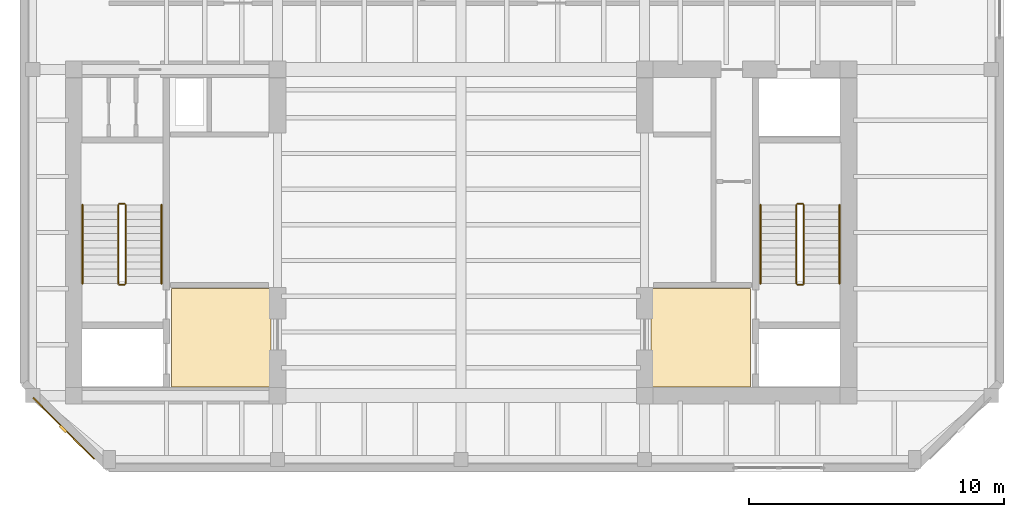
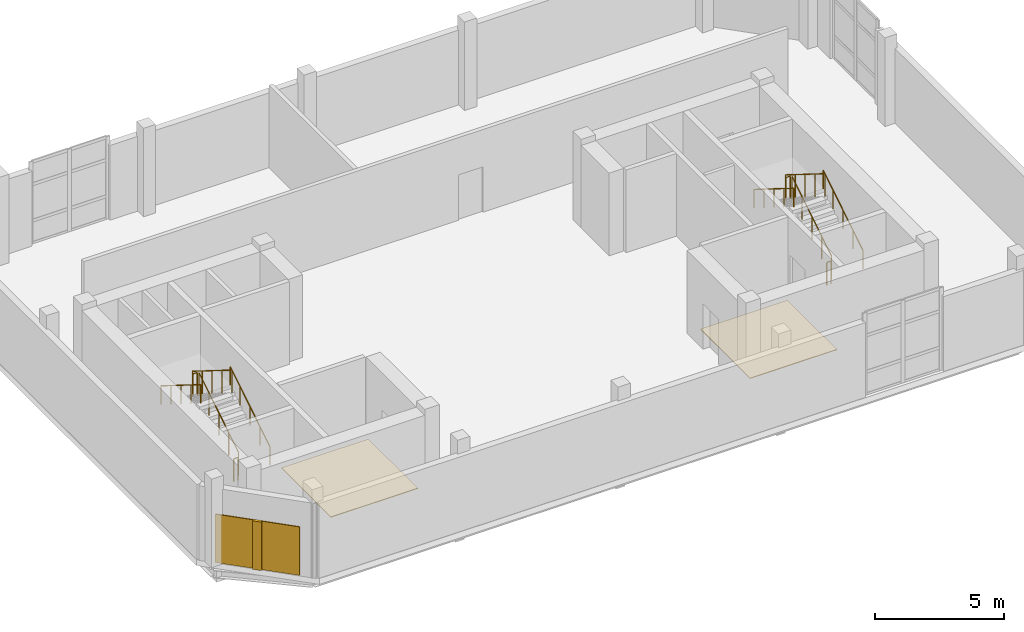
# One storey, part 7 of 8: 12 railings, 3 coverings, 1 shading device.
"""IFC4 building model written with IfcOpenShell, lengths in metres."""

from ifc_helpers import new_model, si_unit, direction, frame, origin, origin_2d, place, context, subcontext, project, spatial, polyline, rectangle, circle, outline, extrude, material, layer, layer_set, type_object, element, save


model = new_model("IFC4")

# Units and contexts
model_context = context("Model", 3, precision=1e-05, world=origin(), true_north=direction((0.0, 1.0)))
body_context = subcontext(model_context, "Body", "Model", "MODEL_VIEW")
ifc_project = project(units=[si_unit("LENGTHUNIT", "METRE"), si_unit("AREAUNIT", "SQUARE_METRE"), si_unit("VOLUMEUNIT", "CUBIC_METRE"), si_unit("PLANEANGLEUNIT", "RADIAN"), si_unit("MASSUNIT", "GRAM", prefix="KILO")], contexts=[model_context])

# Site, building, storey
site_placement = place(None, origin())
site = spatial("IfcSite", under=ifc_project, at=site_placement, CompositionType="ELEMENT")
building_placement = place(site_placement, origin())
building = spatial("IfcBuilding", under=site, at=building_placement, Name="Kranthara Brick Stack", CompositionType="ELEMENT")
storey_placement = place(building_placement, frame((0.0, 0.0, 300.60009765625)))
storey = spatial("IfcBuildingStorey", under=building, at=storey_placement, Name="L79", CompositionType="ELEMENT", Elevation=300.60009765625)

# Coverings
ifc_material_1 = material(Name="Warm buff kiln-fired brick slip rainscreen", Category="masonry")
ifc_layer_1 = layer(ifc_material_1, 0.044921875)
ifc_layer_set_1 = layer_set([ifc_layer_1], Name="Warm buff kiln-fired brick slip rainscreen")
covering_type_1 = type_object("IfcCoveringType", Name="COV-CLAD-BRICK", PredefinedType="CLADDING", material=ifc_layer_set_1)
covering_1_placement = place(storey_placement, frame((12.414794921875, 19.514892578125, 0.0498046875), z_axis=(0.0, 0.0, 1.0), x_axis=(-0.707106781187, 0.707106781187, 0.0)))
element("IfcCovering", 1, at=covering_1_placement, inside=storey, type_object=covering_type_1, Name="L79 Chamfer Brick Rainscreen Cladding SW", PredefinedType="CLADDING", context=body_context, shape_type="SweptSolid", body=[
    extrude(rectangle(XDim=3.39111328125, YDim=0.044921875, at=origin_2d()), origin(), (0.0, 0.0, 1.0), 2.300048828125),
])
ifc_material_2 = material(Name="Honed terrazzo and porcelain floor finish", Category="stone")
ifc_layer_2 = layer(ifc_material_2, 0.030029296875)
ifc_layer_set_2 = layer_set([ifc_layer_2], Name="Honed terrazzo and porcelain floor finish")
covering_type_2 = type_object("IfcCoveringType", Name="COV-FLOR-STONE", PredefinedType="FLOORING", material=ifc_layer_set_2)
covering_2_placement = place(storey_placement, origin())
element("IfcCovering", 2, at=covering_2_placement, inside=storey, type_object=covering_type_2, Name="L79 Lift Lobby Stone Flooring", PredefinedType="FLOORING", context=body_context, shape_type="SweptSolid", body=[
    extrude(outline(polyline([(20.550048828125, 21.14990234375), (20.550048828125, 25.0), (16.64990234375, 25.0), (16.64990234375, 21.14990234375), (20.550048828125, 21.14990234375)])), origin(), (0.0, 0.0, 1.0), 0.02978515625),
])
covering_3_placement = place(storey_placement, origin())
element("IfcCovering", 3, at=covering_3_placement, inside=storey, type_object=covering_type_2, Name="L79 Lift Lobby Stone Flooring", PredefinedType="FLOORING", context=body_context, shape_type="SweptSolid", body=[
    extrude(outline(polyline([(39.35009765625, 21.14990234375), (39.35009765625, 25.0), (35.449951171875, 25.0), (35.449951171875, 21.14990234375), (39.35009765625, 21.14990234375)])), origin(), (0.0, 0.0, 1.0), 0.02978515625),
])

# Railings
ifc_material_3 = material(Name="Painted galvanized steel stair guardrail", Category="steel")
railing_type_1 = type_object("IfcRailingType", Name="RL-STAIR-GUARD-1100", PredefinedType="GUARDRAIL", material=ifc_material_3)
railing_1_placement = place(storey_placement, frame((14.85009765625, 25.199951171875, 0.1748046875)))
element("IfcRailing", 4, at=railing_1_placement, inside=storey, type_object=railing_type_1, Name="L79 ST01 stair guard 1", PredefinedType="GUARDRAIL", context=body_context, shape_type="SweptSolid", body=[
    extrude(circle(Radius=0.02392578125, at=origin_2d()), frame((0.0, 0.0, 1.076171875), z_axis=(0.0, 0.847998304005, 0.529998940003), x_axis=(-1.0, 0.0, 0.0)), (0.0, 0.0, 1.0), 3.632080078125),
    extrude(circle(Radius=0.02099609375, at=origin_2d()), origin(), (0.0, 0.0, 1.0), 1.052001953125),
    extrude(circle(Radius=0.02099609375, at=origin_2d()), frame((0.0, 0.77001953125, 0.481201171875)), (0.0, 0.0, 1.0), 1.052001953125),
    extrude(circle(Radius=0.02099609375, at=origin_2d()), frame((0.0, 1.5400390625, 0.96240234375)), (0.0, 0.0, 1.0), 1.052001953125),
    extrude(circle(Radius=0.02099609375, at=origin_2d()), frame((0.0, 2.31005859375, 1.44384765625)), (0.0, 0.0, 1.0), 1.052001953125),
    extrude(circle(Radius=0.02099609375, at=origin_2d()), frame((0.0, 3.080078125, 1.925048828125)), (0.0, 0.0, 1.0), 1.052001953125),
])
railing_2_placement = place(storey_placement, frame((14.800048828125, 28.330078125, 2.099853515625)))
element("IfcRailing", 5, at=railing_2_placement, inside=storey, type_object=railing_type_1, Name="L79 ST01 stair guard 2", PredefinedType="GUARDRAIL", context=body_context, shape_type="SweptSolid", body=[
    extrude(circle(Radius=0.02392578125, at=origin_2d()), frame((0.0, 0.0, 1.076171875), z_axis=(-1.0, 0.0, 0.0), x_axis=(0.0, -1.0, 0.0)), (0.0, 0.0, 1.0), 0.199951171875),
    extrude(circle(Radius=0.02099609375, at=origin_2d()), origin(), (0.0, 0.0, 1.0), 1.052001953125),
    extrude(circle(Radius=0.02099609375, at=origin_2d()), frame((-0.199951171875, 0.0, 0.0)), (0.0, 0.0, 1.0), 1.052001953125),
])
railing_3_placement = place(storey_placement, frame((14.550048828125, 28.280029296875, 2.27490234375)))
element("IfcRailing", 6, at=railing_3_placement, inside=storey, type_object=railing_type_1, Name="L79 ST01 stair guard 3", PredefinedType="GUARDRAIL", context=body_context, shape_type="SweptSolid", body=[
    extrude(circle(Radius=0.02392578125, at=origin_2d()), frame((0.0, 0.0, 1.076171875), z_axis=(0.0, -0.847998304005, 0.529998940003), x_axis=(1.0, 0.0, 0.0)), (0.0, 0.0, 1.0), 3.632080078125),
    extrude(circle(Radius=0.02099609375, at=origin_2d()), origin(), (0.0, 0.0, 1.0), 1.052001953125),
    extrude(circle(Radius=0.02099609375, at=origin_2d()), frame((0.0, -0.77001953125, 0.481201171875)), (0.0, 0.0, 1.0), 1.052001953125),
    extrude(circle(Radius=0.02099609375, at=origin_2d()), frame((0.0, -1.5400390625, 0.96240234375)), (0.0, 0.0, 1.0), 1.052001953125),
    extrude(circle(Radius=0.02099609375, at=origin_2d()), frame((0.0, -2.31005859375, 1.44384765625)), (0.0, 0.0, 1.0), 1.052001953125),
    extrude(circle(Radius=0.02099609375, at=origin_2d()), frame((0.0, -3.080078125, 1.925048828125)), (0.0, 0.0, 1.0), 1.052001953125),
])
railing_4_placement = place(storey_placement, frame((14.800048828125, 25.14990234375, 0.0)))
element("IfcRailing", 7, at=railing_4_placement, inside=storey, type_object=railing_type_1, Name="L79 ST01 stair guard 4", PredefinedType="GUARDRAIL", context=body_context, shape_type="SweptSolid", body=[
    extrude(circle(Radius=0.02392578125, at=origin_2d()), frame((0.0, 0.0, 1.076171875), z_axis=(-1.0, 0.0, 0.0), x_axis=(0.0, -1.0, 0.0)), (0.0, 0.0, 1.0), 0.199951171875),
    extrude(circle(Radius=0.02099609375, at=origin_2d()), origin(), (0.0, 0.0, 1.0), 1.052001953125),
    extrude(circle(Radius=0.02099609375, at=origin_2d()), frame((-0.199951171875, 0.0, 0.0)), (0.0, 0.0, 1.0), 1.052001953125),
])
railing_5_placement = place(storey_placement, frame((41.449951171875, 25.199951171875, 0.1748046875)))
element("IfcRailing", 8, at=railing_5_placement, inside=storey, type_object=railing_type_1, Name="L79 ST02 stair guard 1", PredefinedType="GUARDRAIL", context=body_context, shape_type="SweptSolid", body=[
    extrude(circle(Radius=0.02392578125, at=origin_2d()), frame((0.0, 0.0, 1.076171875), z_axis=(0.0, 0.847998304005, 0.529998940003), x_axis=(-1.0, 0.0, 0.0)), (0.0, 0.0, 1.0), 3.632080078125),
    extrude(circle(Radius=0.02099609375, at=origin_2d()), origin(), (0.0, 0.0, 1.0), 1.052001953125),
    extrude(circle(Radius=0.02099609375, at=origin_2d()), frame((0.0, 0.77001953125, 0.481201171875)), (0.0, 0.0, 1.0), 1.052001953125),
    extrude(circle(Radius=0.02099609375, at=origin_2d()), frame((0.0, 1.5400390625, 0.96240234375)), (0.0, 0.0, 1.0), 1.052001953125),
    extrude(circle(Radius=0.02099609375, at=origin_2d()), frame((0.0, 2.31005859375, 1.44384765625)), (0.0, 0.0, 1.0), 1.052001953125),
    extrude(circle(Radius=0.02099609375, at=origin_2d()), frame((0.0, 3.080078125, 1.925048828125)), (0.0, 0.0, 1.0), 1.052001953125),
])
railing_6_placement = place(storey_placement, frame((41.39990234375, 28.330078125, 2.099853515625)))
element("IfcRailing", 9, at=railing_6_placement, inside=storey, type_object=railing_type_1, Name="L79 ST02 stair guard 2", PredefinedType="GUARDRAIL", context=body_context, shape_type="SweptSolid", body=[
    extrude(circle(Radius=0.02392578125, at=origin_2d()), frame((0.0, 0.0, 1.076171875), z_axis=(-1.0, 0.0, 0.0), x_axis=(0.0, -1.0, 0.0)), (0.0, 0.0, 1.0), 0.199951171875),
    extrude(circle(Radius=0.02099609375, at=origin_2d()), origin(), (0.0, 0.0, 1.0), 1.052001953125),
    extrude(circle(Radius=0.02099609375, at=origin_2d()), frame((-0.199951171875, 0.0, 0.0)), (0.0, 0.0, 1.0), 1.052001953125),
])
railing_7_placement = place(storey_placement, frame((41.14990234375, 28.280029296875, 2.27490234375)))
element("IfcRailing", 10, at=railing_7_placement, inside=storey, type_object=railing_type_1, Name="L79 ST02 stair guard 3", PredefinedType="GUARDRAIL", context=body_context, shape_type="SweptSolid", body=[
    extrude(circle(Radius=0.02392578125, at=origin_2d()), frame((0.0, 0.0, 1.076171875), z_axis=(0.0, -0.847998304005, 0.529998940003), x_axis=(1.0, 0.0, 0.0)), (0.0, 0.0, 1.0), 3.632080078125),
    extrude(circle(Radius=0.02099609375, at=origin_2d()), origin(), (0.0, 0.0, 1.0), 1.052001953125),
    extrude(circle(Radius=0.02099609375, at=origin_2d()), frame((0.0, -0.77001953125, 0.481201171875)), (0.0, 0.0, 1.0), 1.052001953125),
    extrude(circle(Radius=0.02099609375, at=origin_2d()), frame((0.0, -1.5400390625, 0.96240234375)), (0.0, 0.0, 1.0), 1.052001953125),
    extrude(circle(Radius=0.02099609375, at=origin_2d()), frame((0.0, -2.31005859375, 1.44384765625)), (0.0, 0.0, 1.0), 1.052001953125),
    extrude(circle(Radius=0.02099609375, at=origin_2d()), frame((0.0, -3.080078125, 1.925048828125)), (0.0, 0.0, 1.0), 1.052001953125),
])
railing_8_placement = place(storey_placement, frame((41.39990234375, 25.14990234375, 0.0)))
element("IfcRailing", 11, at=railing_8_placement, inside=storey, type_object=railing_type_1, Name="L79 ST02 stair guard 4", PredefinedType="GUARDRAIL", context=body_context, shape_type="SweptSolid", body=[
    extrude(circle(Radius=0.02392578125, at=origin_2d()), frame((0.0, 0.0, 1.076171875), z_axis=(-1.0, 0.0, 0.0), x_axis=(0.0, -1.0, 0.0)), (0.0, 0.0, 1.0), 0.199951171875),
    extrude(circle(Radius=0.02099609375, at=origin_2d()), origin(), (0.0, 0.0, 1.0), 1.052001953125),
    extrude(circle(Radius=0.02099609375, at=origin_2d()), frame((-0.199951171875, 0.0, 0.0)), (0.0, 0.0, 1.0), 1.052001953125),
])
ifc_material_4 = material(Name="Brushed stainless steel tubular handrail", Category="steel")
railing_type_2 = type_object("IfcRailingType", Name="RL-STAIR-HAND-900", PredefinedType="HANDRAIL", material=ifc_material_4)
railing_9_placement = place(storey_placement, frame((16.25, 25.199951171875, 0.1748046875)))
element("IfcRailing", 12, at=railing_9_placement, inside=storey, type_object=railing_type_2, Name="L79 ST01 stair handrail 1", PredefinedType="HANDRAIL", context=body_context, shape_type="SweptSolid", body=[
    extrude(circle(Radius=0.02392578125, at=origin_2d()), frame((0.0, 0.0, 0.8759765625), z_axis=(0.0, 0.847998304005, 0.529998940003), x_axis=(-1.0, 0.0, 0.0)), (0.0, 0.0, 1.0), 3.632080078125),
    extrude(circle(Radius=0.02099609375, at=origin_2d()), origin(), (0.0, 0.0, 1.0), 0.851806640625),
    extrude(circle(Radius=0.02099609375, at=origin_2d()), frame((0.0, 0.77001953125, 0.481201171875)), (0.0, 0.0, 1.0), 0.851806640625),
    extrude(circle(Radius=0.02099609375, at=origin_2d()), frame((0.0, 1.5400390625, 0.96240234375)), (0.0, 0.0, 1.0), 0.851806640625),
    extrude(circle(Radius=0.02099609375, at=origin_2d()), frame((0.0, 2.31005859375, 1.44384765625)), (0.0, 0.0, 1.0), 0.851806640625),
    extrude(circle(Radius=0.02099609375, at=origin_2d()), frame((0.0, 3.080078125, 1.925048828125)), (0.0, 0.0, 1.0), 0.851806640625),
])
railing_10_placement = place(storey_placement, frame((13.14990234375, 28.280029296875, 2.27490234375)))
element("IfcRailing", 13, at=railing_10_placement, inside=storey, type_object=railing_type_2, Name="L79 ST01 stair handrail 2", PredefinedType="HANDRAIL", context=body_context, shape_type="SweptSolid", body=[
    extrude(circle(Radius=0.02392578125, at=origin_2d()), frame((0.0, 0.0, 0.8759765625), z_axis=(0.0, -0.847998304005, 0.529998940003), x_axis=(1.0, 0.0, 0.0)), (0.0, 0.0, 1.0), 3.632080078125),
    extrude(circle(Radius=0.02099609375, at=origin_2d()), origin(), (0.0, 0.0, 1.0), 0.851806640625),
    extrude(circle(Radius=0.02099609375, at=origin_2d()), frame((0.0, -0.77001953125, 0.481201171875)), (0.0, 0.0, 1.0), 0.851806640625),
    extrude(circle(Radius=0.02099609375, at=origin_2d()), frame((0.0, -1.5400390625, 0.96240234375)), (0.0, 0.0, 1.0), 0.851806640625),
    extrude(circle(Radius=0.02099609375, at=origin_2d()), frame((0.0, -2.31005859375, 1.44384765625)), (0.0, 0.0, 1.0), 0.851806640625),
    extrude(circle(Radius=0.02099609375, at=origin_2d()), frame((0.0, -3.080078125, 1.925048828125)), (0.0, 0.0, 1.0), 0.851806640625),
])
railing_11_placement = place(storey_placement, frame((42.85009765625, 25.199951171875, 0.1748046875)))
element("IfcRailing", 14, at=railing_11_placement, inside=storey, type_object=railing_type_2, Name="L79 ST02 stair handrail 1", PredefinedType="HANDRAIL", context=body_context, shape_type="SweptSolid", body=[
    extrude(circle(Radius=0.02392578125, at=origin_2d()), frame((0.0, 0.0, 0.8759765625), z_axis=(0.0, 0.847998304005, 0.529998940003), x_axis=(-1.0, 0.0, 0.0)), (0.0, 0.0, 1.0), 3.632080078125),
    extrude(circle(Radius=0.02099609375, at=origin_2d()), origin(), (0.0, 0.0, 1.0), 0.851806640625),
    extrude(circle(Radius=0.02099609375, at=origin_2d()), frame((0.0, 0.77001953125, 0.481201171875)), (0.0, 0.0, 1.0), 0.851806640625),
    extrude(circle(Radius=0.02099609375, at=origin_2d()), frame((0.0, 1.5400390625, 0.96240234375)), (0.0, 0.0, 1.0), 0.851806640625),
    extrude(circle(Radius=0.02099609375, at=origin_2d()), frame((0.0, 2.31005859375, 1.44384765625)), (0.0, 0.0, 1.0), 0.851806640625),
    extrude(circle(Radius=0.02099609375, at=origin_2d()), frame((0.0, 3.080078125, 1.925048828125)), (0.0, 0.0, 1.0), 0.851806640625),
])
railing_12_placement = place(storey_placement, frame((39.75, 28.280029296875, 2.27490234375)))
element("IfcRailing", 15, at=railing_12_placement, inside=storey, type_object=railing_type_2, Name="L79 ST02 stair handrail 2", PredefinedType="HANDRAIL", context=body_context, shape_type="SweptSolid", body=[
    extrude(circle(Radius=0.02392578125, at=origin_2d()), frame((0.0, 0.0, 0.8759765625), z_axis=(0.0, -0.847998304005, 0.529998940003), x_axis=(1.0, 0.0, 0.0)), (0.0, 0.0, 1.0), 3.632080078125),
    extrude(circle(Radius=0.02099609375, at=origin_2d()), origin(), (0.0, 0.0, 1.0), 0.851806640625),
    extrude(circle(Radius=0.02099609375, at=origin_2d()), frame((0.0, -0.77001953125, 0.481201171875)), (0.0, 0.0, 1.0), 0.851806640625),
    extrude(circle(Radius=0.02099609375, at=origin_2d()), frame((0.0, -1.5400390625, 0.96240234375)), (0.0, 0.0, 1.0), 0.851806640625),
    extrude(circle(Radius=0.02099609375, at=origin_2d()), frame((0.0, -2.31005859375, 1.44384765625)), (0.0, 0.0, 1.0), 0.851806640625),
    extrude(circle(Radius=0.02099609375, at=origin_2d()), frame((0.0, -3.080078125, 1.925048828125)), (0.0, 0.0, 1.0), 0.851806640625),
])

# Shading device
ifc_material_5 = material(Name="Kiln-fired terracotta aerodynamic wind fin", Category="masonry")
shading_device_type = type_object("IfcShadingDeviceType", Name="SHD-BAFFLE-CORNER", PredefinedType="SHUTTER", material=ifc_material_5)
shading_device_placement = place(storey_placement, frame((12.3935546875, 19.49365234375, 0.0498046875), z_axis=(0.0, 0.0, 1.0), x_axis=(-0.707106781187, 0.707106781187, 0.0)))
element("IfcShadingDevice", 16, at=shading_device_placement, inside=storey, type_object=shading_device_type, Name="L79 Chamfer Wind-Baffle Fin SW", PredefinedType="SHUTTER", context=body_context, shape_type="SweptSolid", body=[
    extrude(rectangle(XDim=0.35009765625, YDim=0.1201171875, at=origin_2d()), origin(), (0.0, 0.0, 1.0), 2.300048828125),
])

save(model, "model.ifc")
